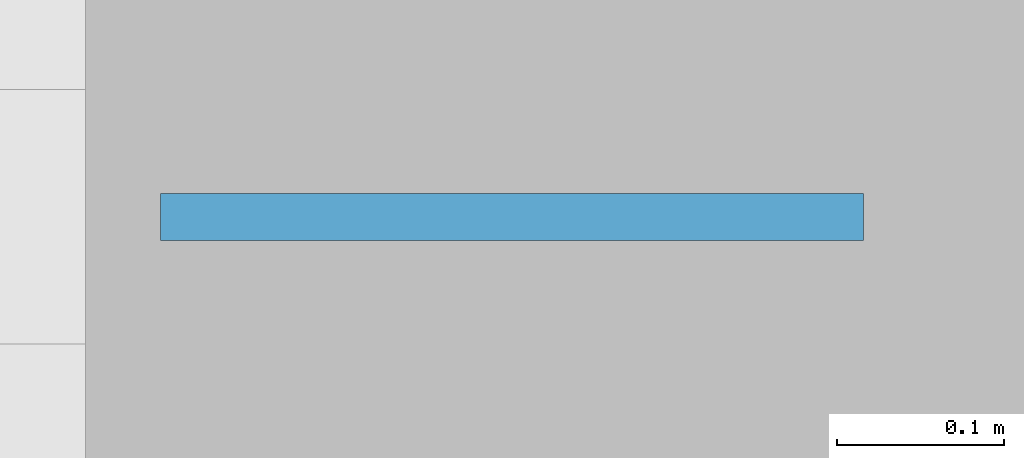
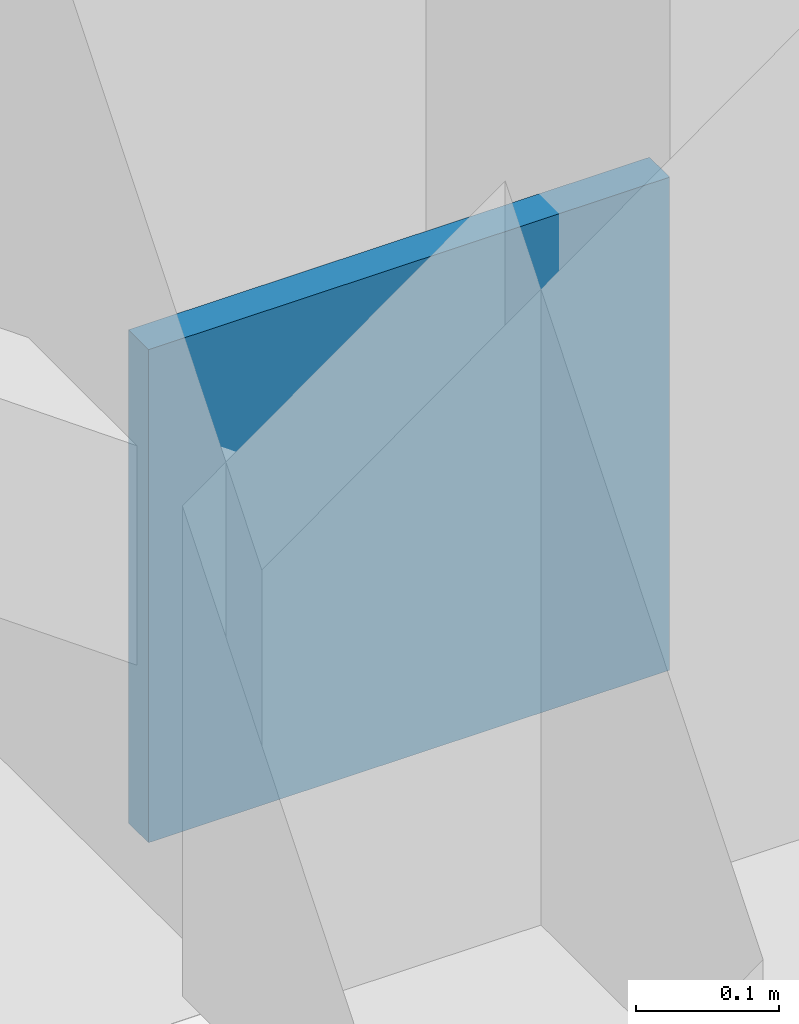
# One storey, part 36 of 57: 1 plate.
"""IFC4 building model written with IfcOpenShell, lengths in metres."""

from ifc_helpers import new_model, si_unit, direction, frame, origin, origin_2d, place, context, subcontext, project, spatial, rectangle, extrude, material, layer, layer_set, type_object, element, save


model = new_model("IFC4")

# Units and contexts
model_context = context("Model", 3, precision=1e-05, world=origin(), true_north=direction((0.0, 1.0)))
body_context = subcontext(model_context, "Body", "Model", "MODEL_VIEW")
ifc_project = project(units=[si_unit("LENGTHUNIT", "METRE"), si_unit("AREAUNIT", "SQUARE_METRE"), si_unit("VOLUMEUNIT", "CUBIC_METRE"), si_unit("PLANEANGLEUNIT", "RADIAN"), si_unit("MASSUNIT", "GRAM", prefix="KILO")], contexts=[model_context])

# Site, building, storey
site_placement = place(None, origin())
site = spatial("IfcSite", under=ifc_project, at=site_placement, CompositionType="ELEMENT")
building_placement = place(site_placement, origin())
building = spatial("IfcBuilding", under=site, at=building_placement, Name="Oolite Switchyard Hospital", CompositionType="ELEMENT")
storey_placement = place(building_placement, frame((0.0, 0.0, 17.800048828125)))
storey = spatial("IfcBuildingStorey", under=building, at=storey_placement, Name="L04", CompositionType="ELEMENT", Elevation=17.800048828125)

# Plate
ifc_material = material(Name="Steel ASTM A572 Grade 50", Category="steel")
ifc_layer = layer(ifc_material, 0.028076171875)
ifc_layer_set = layer_set([ifc_layer], Name="PLT-GUS-420")
plate_type = type_object("IfcPlateType", Name="PLT-GUS-420", PredefinedType="SHEET", material=ifc_layer_set)
plate_placement = place(storey_placement, frame((191.8798828125, 134.39990234375, -0.010009765625), z_axis=(0.0, 0.0, 1.0), x_axis=(1.0, 0.0, 0.0)))
element("IfcPlate", 1, at=plate_placement, inside=storey, type_object=plate_type, Name="L04 Brace Base Gusset Plate 80", PredefinedType="SHEET", context=body_context, shape_type="SweptSolid", body=[
    extrude(rectangle(XDim=0.419921875, YDim=0.028076171875, at=origin_2d()), origin(), (0.0, 0.0, 1.0), 0.419921875),
])

save(model, "model.ifc")
